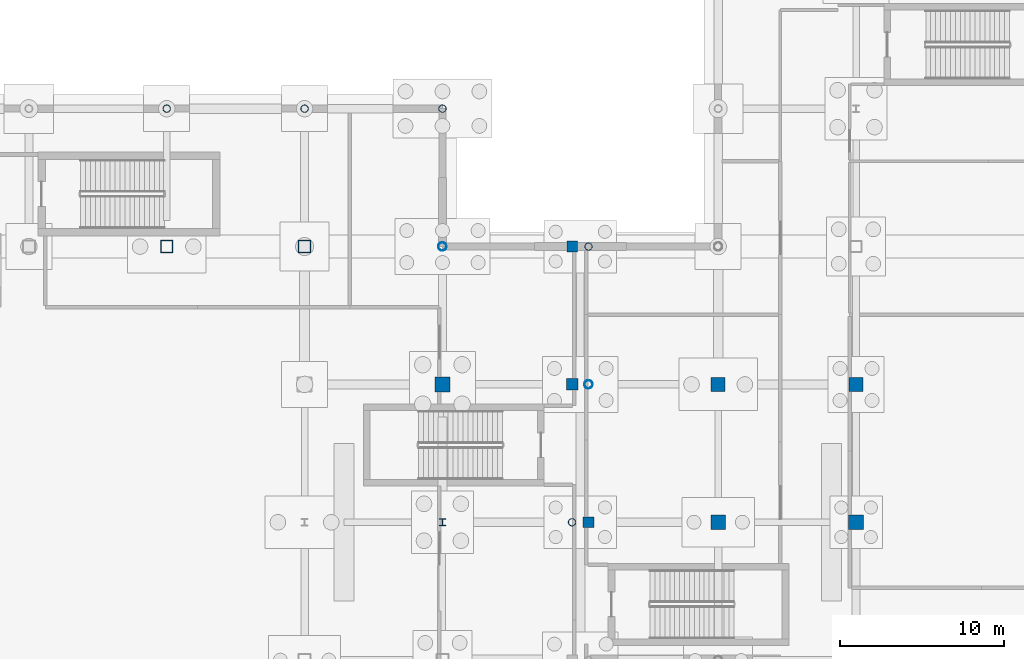
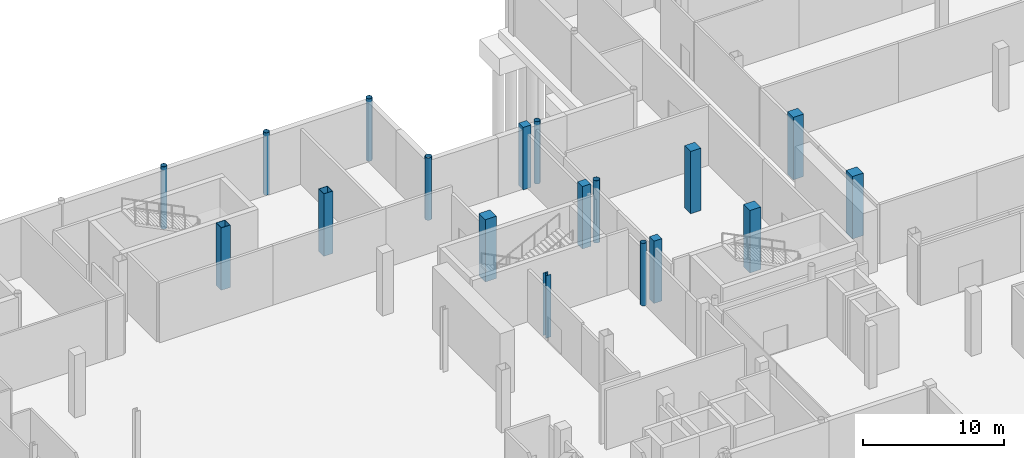
# One storey, part 13 of 49: 18 columns.
"""IFC4 building model written with IfcOpenShell, lengths in metres."""

from ifc_helpers import new_model, si_unit, direction, frame, origin, origin_2d, place, context, subcontext, project, spatial, rectangle, hollow_rectangle, hollow_circle, i_section, extrude, material, material_profile, profile_set, type_object, element, save


model = new_model("IFC4")

# Units and contexts
model_context = context("Model", 3, precision=1e-05, world=origin(), true_north=direction((0.0, 1.0)))
body_context = subcontext(model_context, "Body", "Model", "MODEL_VIEW")
ifc_project = project(units=[si_unit("LENGTHUNIT", "METRE"), si_unit("AREAUNIT", "SQUARE_METRE"), si_unit("VOLUMEUNIT", "CUBIC_METRE"), si_unit("PLANEANGLEUNIT", "RADIAN"), si_unit("MASSUNIT", "GRAM", prefix="KILO"), si_unit("THERMODYNAMICTEMPERATUREUNIT", "KELVIN")], contexts=[model_context])

# Site, building, storey
site_placement = place(None, origin())
site = spatial("IfcSite", under=ifc_project, at=site_placement, CompositionType="ELEMENT")
building_placement = place(site_placement, origin())
building = spatial("IfcBuilding", under=site, at=building_placement, Name="Lustrewick Department Store", CompositionType="ELEMENT")
storey_placement = place(building_placement, frame((0.0, 0.0, -5.39990234375)))
storey = spatial("IfcBuildingStorey", under=building, at=storey_placement, Name="B1", CompositionType="ELEMENT", Elevation=-5.39990234375)

# Columns
ifc_material_1 = material(Name="Structural steel Q355C", Category="steel")
ifc_material_profile_1 = material_profile(ifc_material_1, hollow_rectangle(XDim=0.75, YDim=0.75, WallThickness=0.028076171875, at=origin_2d()), Name="BOX 750x750x28")
ifc_profile_set_1 = profile_set([ifc_material_profile_1], Name="Structural steel Q355C")
column_type_1 = type_object("IfcColumnType", Name="C01", PredefinedType="COLUMN", material=ifc_profile_set_1)
for number, where, z_axis, x_axis, name in (
    (1, (33.60009765625, 84.0, 0.0), (0.0, 0.0, 1.0), (1.0, 0.0, 0.0), "B1 V1 Column C01"),
    (2, (42.0, 84.0, 0.0), (0.0, 0.0, 1.0), (1.0, 0.0, 0.0), "B1 V1 Column C01"),
):
    element("IfcColumn", number, at=place(storey_placement, frame(where, z_axis=z_axis, x_axis=x_axis)), inside=storey, type_object=column_type_1, Name=name, PredefinedType="COLUMN", context=body_context, shape_type="SweptSolid", body=[
        extrude(hollow_rectangle(XDim=0.75, YDim=0.75, WallThickness=0.028076171875, at=origin_2d()), origin(), (0.0, 0.0, 1.0), 5.39990234375),
    ])
ifc_material_profile_2 = material_profile(ifc_material_1, i_section(OverallWidth=0.406982421875, OverallDepth=0.427978515625, WebThickness=0.02001953125, FlangeThickness=0.034912109375, FilletRadius=0.02197265625, at=origin_2d()), Name="HW 428x407x20x35")
ifc_profile_set_2 = profile_set([ifc_material_profile_2], Name="Structural steel Q355C")
column_type_2 = type_object("IfcColumnType", Name="C09", PredefinedType="COLUMN", material=ifc_profile_set_2)
column_1_placement = place(storey_placement, frame((50.39990234375, 67.199951171875, 0.0), z_axis=(0.0, 0.0, 1.0), x_axis=(1.0, 0.0, 0.0)))
element("IfcColumn", 3, at=column_1_placement, inside=storey, type_object=column_type_2, Name="B1 V1 Column C09", PredefinedType="COLUMN", context=body_context, shape_type="SweptSolid", body=[
    extrude(i_section(OverallWidth=0.406982421875, OverallDepth=0.427978515625, WebThickness=0.02001953125, FlangeThickness=0.034912109375, FilletRadius=0.02197265625, at=origin_2d()), origin(), (0.0, 0.0, 1.0), 5.39990234375),
])
ifc_material_2 = material(Name="Concrete C50", Category="concrete")
ifc_material_profile_3 = material_profile(ifc_material_2, rectangle(XDim=0.89990234375, YDim=0.89990234375, at=origin_2d()), Name="RC 900x900")
ifc_profile_set_3 = profile_set([ifc_material_profile_3], Name="Concrete C50")
column_type_3 = type_object("IfcColumnType", Name="C17", PredefinedType="COLUMN", material=ifc_profile_set_3)
for number, where, z_axis, x_axis, name in (
    (4, (50.39990234375, 75.60009765625, 0.0), (0.0, 0.0, 1.0), (1.0, 0.0, 0.0), "B1 V1 Column C17"),
    (5, (67.199951171875, 67.199951171875, 0.0), (0.0, 0.0, 1.0), (1.0, 0.0, 0.0), "B1 V2 Column C17"),
    (6, (75.60009765625, 67.199951171875, 0.0), (0.0, 0.0, 1.0), (1.0, 0.0, 0.0), "B1 V2 Column C17"),
):
    element("IfcColumn", number, at=place(storey_placement, frame(where, z_axis=z_axis, x_axis=x_axis)), inside=storey, type_object=column_type_3, Name=name, PredefinedType="COLUMN", context=body_context, shape_type="SweptSolid", body=[
        extrude(rectangle(XDim=0.89990234375, YDim=0.89990234375, at=origin_2d()), origin(), (0.0, 0.0, 1.0), 5.39990234375),
    ])
ifc_material_profile_4 = material_profile(ifc_material_2, rectangle(XDim=0.85009765625, YDim=0.85009765625, at=origin_2d()), Name="RC 850x850")
ifc_profile_set_4 = profile_set([ifc_material_profile_4], Name="Concrete C50")
column_type_4 = type_object("IfcColumnType", Name="C18", PredefinedType="COLUMN", material=ifc_profile_set_4)
for number, where, z_axis, x_axis, name in (
    (7, (67.199951171875, 75.60009765625, 0.0), (0.0, 0.0, 1.0), (1.0, 0.0, 0.0), "B1 V2 Column C18"),
    (8, (75.60009765625, 75.60009765625, 0.0), (0.0, 0.0, 1.0), (1.0, 0.0, 0.0), "B1 V2 Column C18"),
):
    element("IfcColumn", number, at=place(storey_placement, frame(where, z_axis=z_axis, x_axis=x_axis)), inside=storey, type_object=column_type_4, Name=name, PredefinedType="COLUMN", context=body_context, shape_type="SweptSolid", body=[
        extrude(rectangle(XDim=0.85009765625, YDim=0.85009765625, at=origin_2d()), origin(), (0.0, 0.0, 1.0), 5.39990234375),
    ])
ifc_material_profile_5 = material_profile(ifc_material_1, hollow_circle(Radius=0.25390625, WallThickness=0.01611328125, at=origin_2d()), Name="CHS 508x16")
ifc_profile_set_5 = profile_set([ifc_material_profile_5], Name="Structural steel Q355C")
column_type_5 = type_object("IfcColumnType", Name="CE01", PredefinedType="COLUMN", material=ifc_profile_set_5)
for number, where, z_axis, x_axis, name in (
    (9, (50.39990234375, 84.0, 0.0), (0.0, 0.0, 1.0), (1.0, 0.0, 0.0), "B1 V1 Column CE01"),
    (10, (59.300048828125, 75.60009765625, 0.0), (0.0, 0.0, 1.0), (1.0, 0.0, 0.0), "B1 V2 Column CE01"),
):
    element("IfcColumn", number, at=place(storey_placement, frame(where, z_axis=z_axis, x_axis=x_axis)), inside=storey, type_object=column_type_5, Name=name, PredefinedType="COLUMN", context=body_context, shape_type="SweptSolid", body=[
        extrude(hollow_circle(Radius=0.25390625, WallThickness=0.01611328125, at=origin_2d()), origin(), (0.0, 0.0, 1.0), 5.39990234375),
    ])
ifc_material_profile_6 = material_profile(ifc_material_1, hollow_circle(Radius=0.228515625, WallThickness=0.01611328125, at=origin_2d()), Name="CHS 457x16")
ifc_profile_set_6 = profile_set([ifc_material_profile_6], Name="Structural steel Q355C")
column_type_6 = type_object("IfcColumnType", Name="CE02", PredefinedType="COLUMN", material=ifc_profile_set_6)
for number, where, z_axis, x_axis, name in (
    (11, (33.60009765625, 92.39990234375, 0.0), (0.0, 0.0, 1.0), (1.0, 0.0, 0.0), "B1 V1 Column CE02"),
    (12, (42.0, 92.39990234375, 0.0), (0.0, 0.0, 1.0), (1.0, 0.0, 0.0), "B1 V1 Column CE02"),
    (13, (50.39990234375, 92.39990234375, 0.0), (0.0, 0.0, 1.0), (1.0, 0.0, 0.0), "B1 V1 Column CE02"),
    (14, (58.300048828125, 67.199951171875, 0.0), (0.0, 0.0, 1.0), (1.0, 0.0, 0.0), "B1 V1 Column CE02"),
    (15, (59.300048828125, 84.0, 0.0), (0.0, 0.0, 1.0), (1.0, 0.0, 0.0), "B1 V2 Column CE02"),
):
    element("IfcColumn", number, at=place(storey_placement, frame(where, z_axis=z_axis, x_axis=x_axis)), inside=storey, type_object=column_type_6, Name=name, PredefinedType="COLUMN", context=body_context, shape_type="SweptSolid", body=[
        extrude(hollow_circle(Radius=0.228515625, WallThickness=0.01611328125, at=origin_2d()), origin(), (0.0, 0.0, 1.0), 5.39990234375),
    ])
ifc_material_3 = material(Name="Concrete C40", Category="concrete")
ifc_material_profile_7 = material_profile(ifc_material_3, rectangle(XDim=0.699951171875, YDim=0.699951171875, at=origin_2d()), Name="RC 700x700")
ifc_profile_set_7 = profile_set([ifc_material_profile_7], Name="Concrete C40")
column_type_7 = type_object("IfcColumnType", Name="CE06", PredefinedType="COLUMN", material=ifc_profile_set_7)
column_2_placement = place(storey_placement, frame((58.300048828125, 75.60009765625, 0.0), z_axis=(0.0, 0.0, 1.0), x_axis=(1.0, 0.0, 0.0)))
element("IfcColumn", 16, at=column_2_placement, inside=storey, type_object=column_type_7, Name="B1 V1 Column CE06", PredefinedType="COLUMN", context=body_context, shape_type="SweptSolid", body=[
    extrude(rectangle(XDim=0.699951171875, YDim=0.699951171875, at=origin_2d()), origin(), (0.0, 0.0, 1.0), 5.39990234375),
])
ifc_material_profile_8 = material_profile(ifc_material_3, rectangle(XDim=0.64990234375, YDim=0.64990234375, at=origin_2d()), Name="RC 650x650")
ifc_profile_set_8 = profile_set([ifc_material_profile_8], Name="Concrete C40")
column_type_8 = type_object("IfcColumnType", Name="CE07", PredefinedType="COLUMN", material=ifc_profile_set_8)
for number, where, z_axis, x_axis, name in (
    (17, (58.300048828125, 84.0, 0.0), (0.0, 0.0, 1.0), (1.0, 0.0, 0.0), "B1 V1 Column CE07"),
    (18, (59.300048828125, 67.199951171875, 0.0), (0.0, 0.0, 1.0), (1.0, 0.0, 0.0), "B1 V2 Column CE07"),
):
    element("IfcColumn", number, at=place(storey_placement, frame(where, z_axis=z_axis, x_axis=x_axis)), inside=storey, type_object=column_type_8, Name=name, PredefinedType="COLUMN", context=body_context, shape_type="SweptSolid", body=[
        extrude(rectangle(XDim=0.64990234375, YDim=0.64990234375, at=origin_2d()), origin(), (0.0, 0.0, 1.0), 5.39990234375),
    ])

save(model, "model.ifc")
